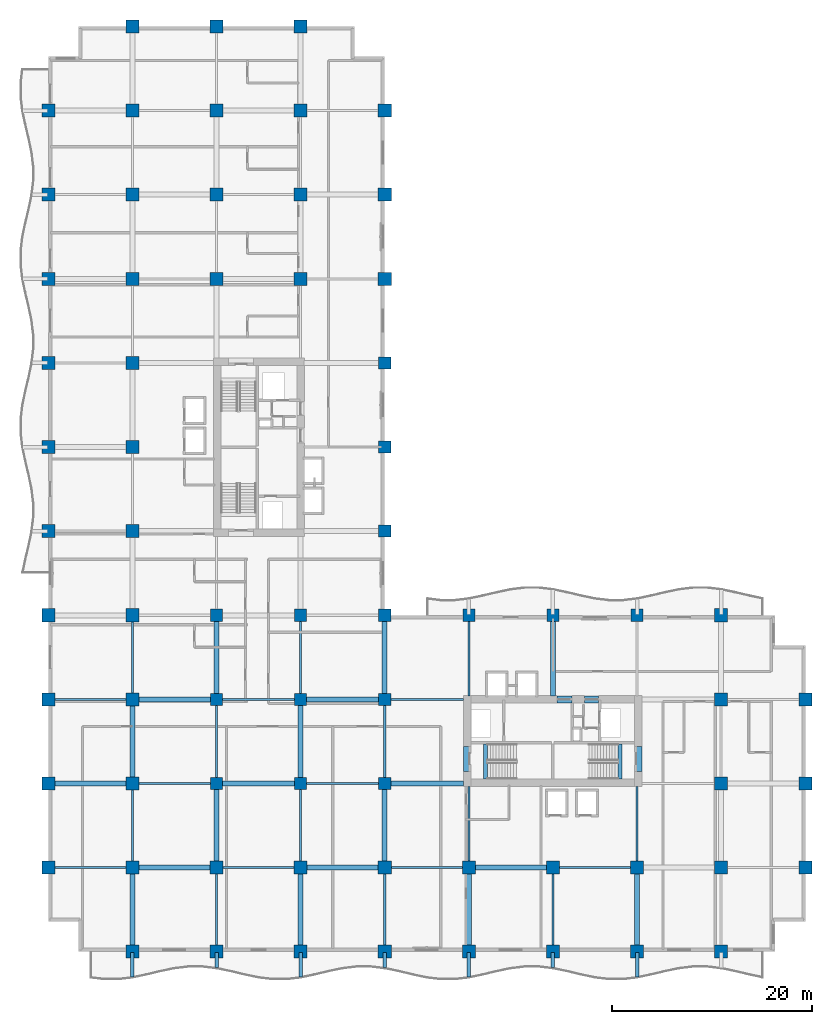
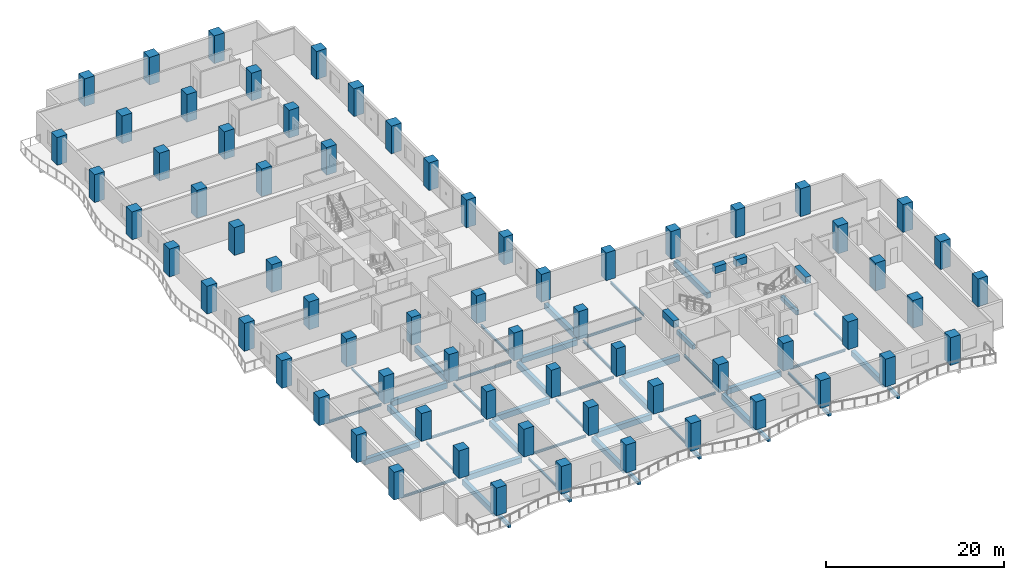
# One storey, part 1 of 18: 68 columns, 53 beams.
"""IFC4 building model written with IfcOpenShell, lengths in metres."""

from ifc_helpers import new_model, si_unit, direction, frame, origin, origin_2d, place, context, subcontext, project, spatial, rectangle, i_section, extrude, material, material_profile, profile_set, type_object, element, save


model = new_model("IFC4")

# Units and contexts
model_context = context("Model", 3, precision=1e-05, world=origin(), true_north=direction((0.0, 1.0)))
body_context = subcontext(model_context, "Body", "Model", "MODEL_VIEW")
ifc_project = project(units=[si_unit("LENGTHUNIT", "METRE"), si_unit("AREAUNIT", "SQUARE_METRE"), si_unit("VOLUMEUNIT", "CUBIC_METRE"), si_unit("PLANEANGLEUNIT", "RADIAN"), si_unit("MASSUNIT", "GRAM", prefix="KILO")], contexts=[model_context])

# Site, building, storey
site_placement = place(None, origin())
site = spatial("IfcSite", under=ifc_project, at=site_placement, CompositionType="ELEMENT")
building_placement = place(site_placement, origin())
building = spatial("IfcBuilding", under=site, at=building_placement, Name="Koriwani Terraces Tower", CompositionType="ELEMENT")
storey_placement = place(building_placement, frame((0.0, 0.0, 145.60009765625)))
storey = spatial("IfcBuildingStorey", under=building, at=storey_placement, Name="L35", CompositionType="ELEMENT", Elevation=145.60009765625)

# Columns
ifc_material_1 = material(Name="Concrete C60/75", Category="concrete")
ifc_material_profile_1 = material_profile(ifc_material_1, rectangle(XDim=1.199951171875, YDim=1.199951171875, at=origin_2d()), Name="Concrete C60/75", Category="LoadBearing")
ifc_profile_set_1 = profile_set([ifc_material_profile_1], Name="Concrete C60/75")
column_type_1 = type_object("IfcColumnType", Name="COL_RC_1200X1200", PredefinedType="COLUMN", material=ifc_profile_set_1)
for number, where, z_axis, x_axis, name in (
    (1, (16.800048828125, 16.800048828125, 0.0), (0.0, 0.0, 1.0), (1.0, 0.0, 0.0), "L35 Column 3/C"),
    (2, (16.800048828125, 25.199951171875, 0.0), (0.0, 0.0, 1.0), (1.0, 0.0, 0.0), "L35 Column 3/D"),
    (3, (16.800048828125, 33.60009765625, 0.0), (0.0, 0.0, 1.0), (1.0, 0.0, 0.0), "L35 Column 3/E"),
    (4, (25.199951171875, 16.800048828125, 0.0), (0.0, 0.0, 1.0), (1.0, 0.0, 0.0), "L35 Column 4/C"),
    (5, (25.199951171875, 25.199951171875, 0.0), (0.0, 0.0, 1.0), (1.0, 0.0, 0.0), "L35 Column 4/D"),
    (6, (25.199951171875, 33.60009765625, 0.0), (0.0, 0.0, 1.0), (1.0, 0.0, 0.0), "L35 Column 4/E"),
    (7, (33.60009765625, 16.800048828125, 0.0), (0.0, 0.0, 1.0), (1.0, 0.0, 0.0), "L35 Column 5/C"),
    (8, (33.60009765625, 25.199951171875, 0.0), (0.0, 0.0, 1.0), (1.0, 0.0, 0.0), "L35 Column 5/D"),
    (9, (33.60009765625, 33.60009765625, 0.0), (0.0, 0.0, 1.0), (1.0, 0.0, 0.0), "L35 Column 5/E"),
    (10, (33.60009765625, 42.0, 0.0), (0.0, 0.0, 1.0), (1.0, 0.0, 0.0), "L35 Column 5/F"),
    (11, (33.60009765625, 50.39990234375, 0.0), (0.0, 0.0, 1.0), (1.0, 0.0, 0.0), "L35 Column 5/G"),
    (12, (33.60009765625, 58.800048828125, 0.0), (0.0, 0.0, 1.0), (1.0, 0.0, 0.0), "L35 Column 5/H"),
    (13, (42.0, 33.60009765625, 0.0), (0.0, 0.0, 1.0), (1.0, 0.0, 0.0), "L35 Column 6/E"),
    (14, (50.39990234375, 33.60009765625, 0.0), (0.0, 0.0, 1.0), (1.0, 0.0, 0.0), "L35 Column 7/E"),
    (15, (58.800048828125, 33.60009765625, 0.0), (0.0, 0.0, 1.0), (1.0, 0.0, 0.0), "L35 Column 8/E"),
):
    element("IfcColumn", number, at=place(storey_placement, frame(where, z_axis=z_axis, x_axis=x_axis)), inside=storey, type_object=column_type_1, Name=name, PredefinedType="COLUMN", context=body_context, shape_type="SweptSolid", body=[
        extrude(rectangle(XDim=1.199951171875, YDim=1.199951171875, at=origin_2d()), origin(), (0.0, 0.0, 1.0), 3.7998046875),
    ])
ifc_material_profile_2 = material_profile(ifc_material_1, rectangle(XDim=1.300048828125, YDim=1.300048828125, at=origin_2d()), Name="Concrete C60/75", Category="LoadBearing")
ifc_profile_set_2 = profile_set([ifc_material_profile_2], Name="Concrete C60/75")
column_type_2 = type_object("IfcColumnType", Name="COL_RC_1300X1300", PredefinedType="COLUMN", material=ifc_profile_set_2)
for number, where, z_axis, x_axis, name in (
    (16, (0.0, 8.39990234375, 0.0), (0.0, 0.0, 1.0), (1.0, 0.0, 0.0), "L35 Column 1/B"),
    (17, (0.0, 16.800048828125, 0.0), (0.0, 0.0, 1.0), (1.0, 0.0, 0.0), "L35 Column 1/C"),
    (18, (0.0, 25.199951171875, 0.0), (0.0, 0.0, 1.0), (1.0, 0.0, 0.0), "L35 Column 1/D"),
    (19, (0.0, 33.60009765625, 0.0), (0.0, 0.0, 1.0), (1.0, 0.0, 0.0), "L35 Column 1/E"),
    (20, (0.0, 42.0, 0.0), (0.0, 0.0, 1.0), (1.0, 0.0, 0.0), "L35 Column 1/F"),
    (21, (0.0, 50.39990234375, 0.0), (0.0, 0.0, 1.0), (1.0, 0.0, 0.0), "L35 Column 1/G"),
    (22, (0.0, 58.800048828125, 0.0), (0.0, 0.0, 1.0), (1.0, 0.0, 0.0), "L35 Column 1/H"),
    (23, (0.0, 67.199951171875, 0.0), (0.0, 0.0, 1.0), (1.0, 0.0, 0.0), "L35 Column 1/I"),
    (24, (0.0, 75.60009765625, 0.0), (0.0, 0.0, 1.0), (1.0, 0.0, 0.0), "L35 Column 1/J"),
    (25, (0.0, 84.0, 0.0), (0.0, 0.0, 1.0), (1.0, 0.0, 0.0), "L35 Column 1/K"),
    (26, (8.39990234375, 0.0, 0.0), (0.0, 0.0, 1.0), (1.0, 0.0, 0.0), "L35 Column 2/A"),
    (27, (8.39990234375, 8.39990234375, 0.0), (0.0, 0.0, 1.0), (1.0, 0.0, 0.0), "L35 Column 2/B"),
    (28, (8.39990234375, 16.800048828125, 0.0), (0.0, 0.0, 1.0), (1.0, 0.0, 0.0), "L35 Column 2/C"),
    (29, (8.39990234375, 25.199951171875, 0.0), (0.0, 0.0, 1.0), (1.0, 0.0, 0.0), "L35 Column 2/D"),
    (30, (8.39990234375, 33.60009765625, 0.0), (0.0, 0.0, 1.0), (1.0, 0.0, 0.0), "L35 Column 2/E"),
    (31, (8.39990234375, 42.0, 0.0), (0.0, 0.0, 1.0), (1.0, 0.0, 0.0), "L35 Column 2/F"),
    (32, (8.39990234375, 50.39990234375, 0.0), (0.0, 0.0, 1.0), (1.0, 0.0, 0.0), "L35 Column 2/G"),
    (33, (8.39990234375, 58.800048828125, 0.0), (0.0, 0.0, 1.0), (1.0, 0.0, 0.0), "L35 Column 2/H"),
    (34, (8.39990234375, 67.199951171875, 0.0), (0.0, 0.0, 1.0), (1.0, 0.0, 0.0), "L35 Column 2/I"),
    (35, (8.39990234375, 75.60009765625, 0.0), (0.0, 0.0, 1.0), (1.0, 0.0, 0.0), "L35 Column 2/J"),
    (36, (8.39990234375, 84.0, 0.0), (0.0, 0.0, 1.0), (1.0, 0.0, 0.0), "L35 Column 2/K"),
    (37, (8.39990234375, 92.39990234375, 0.0), (0.0, 0.0, 1.0), (1.0, 0.0, 0.0), "L35 Column 2/L"),
    (38, (16.800048828125, 0.0, 0.0), (0.0, 0.0, 1.0), (1.0, 0.0, 0.0), "L35 Column 3/A"),
    (39, (16.800048828125, 8.39990234375, 0.0), (0.0, 0.0, 1.0), (1.0, 0.0, 0.0), "L35 Column 3/B"),
    (40, (16.800048828125, 67.199951171875, 0.0), (0.0, 0.0, 1.0), (1.0, 0.0, 0.0), "L35 Column 3/I"),
    (41, (16.800048828125, 75.60009765625, 0.0), (0.0, 0.0, 1.0), (1.0, 0.0, 0.0), "L35 Column 3/J"),
    (42, (16.800048828125, 84.0, 0.0), (0.0, 0.0, 1.0), (1.0, 0.0, 0.0), "L35 Column 3/K"),
    (43, (16.800048828125, 92.39990234375, 0.0), (0.0, 0.0, 1.0), (1.0, 0.0, 0.0), "L35 Column 3/L"),
    (44, (25.199951171875, 0.0, 0.0), (0.0, 0.0, 1.0), (1.0, 0.0, 0.0), "L35 Column 4/A"),
    (45, (25.199951171875, 8.39990234375, 0.0), (0.0, 0.0, 1.0), (1.0, 0.0, 0.0), "L35 Column 4/B"),
    (46, (25.199951171875, 67.199951171875, 0.0), (0.0, 0.0, 1.0), (1.0, 0.0, 0.0), "L35 Column 4/I"),
    (47, (25.199951171875, 75.60009765625, 0.0), (0.0, 0.0, 1.0), (1.0, 0.0, 0.0), "L35 Column 4/J"),
    (48, (25.199951171875, 84.0, 0.0), (0.0, 0.0, 1.0), (1.0, 0.0, 0.0), "L35 Column 4/K"),
    (49, (25.199951171875, 92.39990234375, 0.0), (0.0, 0.0, 1.0), (1.0, 0.0, 0.0), "L35 Column 4/L"),
    (50, (33.60009765625, 0.0, 0.0), (0.0, 0.0, 1.0), (1.0, 0.0, 0.0), "L35 Column 5/A"),
    (51, (33.60009765625, 8.39990234375, 0.0), (0.0, 0.0, 1.0), (1.0, 0.0, 0.0), "L35 Column 5/B"),
    (52, (33.60009765625, 67.199951171875, 0.0), (0.0, 0.0, 1.0), (1.0, 0.0, 0.0), "L35 Column 5/I"),
    (53, (33.60009765625, 75.60009765625, 0.0), (0.0, 0.0, 1.0), (1.0, 0.0, 0.0), "L35 Column 5/J"),
    (54, (33.60009765625, 84.0, 0.0), (0.0, 0.0, 1.0), (1.0, 0.0, 0.0), "L35 Column 5/K"),
    (55, (42.0, 0.0, 0.0), (0.0, 0.0, 1.0), (1.0, 0.0, 0.0), "L35 Column 6/A"),
    (56, (42.0, 8.39990234375, 0.0), (0.0, 0.0, 1.0), (1.0, 0.0, 0.0), "L35 Column 6/B"),
    (57, (50.39990234375, 0.0, 0.0), (0.0, 0.0, 1.0), (1.0, 0.0, 0.0), "L35 Column 7/A"),
    (58, (50.39990234375, 8.39990234375, 0.0), (0.0, 0.0, 1.0), (1.0, 0.0, 0.0), "L35 Column 7/B"),
    (59, (58.800048828125, 0.0, 0.0), (0.0, 0.0, 1.0), (1.0, 0.0, 0.0), "L35 Column 8/A"),
    (60, (58.800048828125, 8.39990234375, 0.0), (0.0, 0.0, 1.0), (1.0, 0.0, 0.0), "L35 Column 8/B"),
    (61, (67.199951171875, 0.0, 0.0), (0.0, 0.0, 1.0), (1.0, 0.0, 0.0), "L35 Column 9/A"),
    (62, (67.199951171875, 8.39990234375, 0.0), (0.0, 0.0, 1.0), (1.0, 0.0, 0.0), "L35 Column 9/B"),
    (63, (67.199951171875, 16.800048828125, 0.0), (0.0, 0.0, 1.0), (1.0, 0.0, 0.0), "L35 Column 9/C"),
    (64, (67.199951171875, 25.199951171875, 0.0), (0.0, 0.0, 1.0), (1.0, 0.0, 0.0), "L35 Column 9/D"),
    (65, (67.199951171875, 33.60009765625, 0.0), (0.0, 0.0, 1.0), (1.0, 0.0, 0.0), "L35 Column 9/E"),
    (66, (75.60009765625, 8.39990234375, 0.0), (0.0, 0.0, 1.0), (1.0, 0.0, 0.0), "L35 Column 10/B"),
    (67, (75.60009765625, 16.800048828125, 0.0), (0.0, 0.0, 1.0), (1.0, 0.0, 0.0), "L35 Column 10/C"),
    (68, (75.60009765625, 25.199951171875, 0.0), (0.0, 0.0, 1.0), (1.0, 0.0, 0.0), "L35 Column 10/D"),
):
    element("IfcColumn", number, at=place(storey_placement, frame(where, z_axis=z_axis, x_axis=x_axis)), inside=storey, type_object=column_type_2, Name=name, PredefinedType="COLUMN", context=body_context, shape_type="SweptSolid", body=[
        extrude(rectangle(XDim=1.300048828125, YDim=1.300048828125, at=origin_2d()), origin(), (0.0, 0.0, 1.0), 3.7998046875),
    ])

# Beams
ifc_material_2 = material(Name="Concrete C40/50", Category="concrete")
ifc_material_profile_3 = material_profile(ifc_material_2, rectangle(XDim=0.35009765625, YDim=0.449951171875, at=origin_2d()), Name="Concrete C40/50", Category="LoadBearing")
ifc_profile_set_3 = profile_set([ifc_material_profile_3], Name="Concrete C40/50")
beam_type_1 = type_object("IfcBeamType", Name="BEAM_RC_BALCONY_RIB_350X450", PredefinedType="JOIST", material=ifc_profile_set_3)
beam_1_placement = place(storey_placement, frame((8.39990234375, -2.509521484375, -0.47509765625), z_axis=(0.0, 1.0, 0.0), x_axis=(-1.0, 0.0, 0.0)))
element("IfcBeam", 69, at=beam_1_placement, inside=storey, type_object=beam_type_1, Name="L35 Balcony Bracket Rib S-1", PredefinedType="JOIST", context=body_context, shape_type="SweptSolid", body=[
    extrude(rectangle(XDim=0.35009765625, YDim=0.449951171875, at=origin_2d()), origin(), (0.0, 0.0, 1.0), 2.409423828125),
])
beam_2_placement = place(storey_placement, frame((16.800048828125, -1.59033203125, -0.47509765625), z_axis=(0.0, 1.0, 0.0), x_axis=(-1.0, 0.0, 0.0)))
element("IfcBeam", 70, at=beam_2_placement, inside=storey, type_object=beam_type_1, Name="L35 Balcony Bracket Rib S-2", PredefinedType="JOIST", context=body_context, shape_type="SweptSolid", body=[
    extrude(rectangle(XDim=0.35009765625, YDim=0.449951171875, at=origin_2d()), origin(), (0.0, 0.0, 1.0), 1.490234375),
])
beam_3_placement = place(storey_placement, frame((25.199951171875, -2.509521484375, -0.47509765625), z_axis=(0.0, 1.0, 0.0), x_axis=(-1.0, 0.0, 0.0)))
element("IfcBeam", 71, at=beam_3_placement, inside=storey, type_object=beam_type_1, Name="L35 Balcony Bracket Rib S-3", PredefinedType="JOIST", context=body_context, shape_type="SweptSolid", body=[
    extrude(rectangle(XDim=0.35009765625, YDim=0.449951171875, at=origin_2d()), origin(), (0.0, 0.0, 1.0), 2.409423828125),
])
beam_4_placement = place(storey_placement, frame((33.60009765625, -1.59033203125, -0.47509765625), z_axis=(0.0, 1.0, 0.0), x_axis=(-1.0, 0.0, 0.0)))
element("IfcBeam", 72, at=beam_4_placement, inside=storey, type_object=beam_type_1, Name="L35 Balcony Bracket Rib S-4", PredefinedType="JOIST", context=body_context, shape_type="SweptSolid", body=[
    extrude(rectangle(XDim=0.35009765625, YDim=0.449951171875, at=origin_2d()), origin(), (0.0, 0.0, 1.0), 1.490234375),
])
beam_5_placement = place(storey_placement, frame((42.0, -2.509521484375, -0.47509765625), z_axis=(0.0, 1.0, 0.0), x_axis=(-1.0, 0.0, 0.0)))
element("IfcBeam", 73, at=beam_5_placement, inside=storey, type_object=beam_type_1, Name="L35 Balcony Bracket Rib S-5", PredefinedType="JOIST", context=body_context, shape_type="SweptSolid", body=[
    extrude(rectangle(XDim=0.35009765625, YDim=0.449951171875, at=origin_2d()), origin(), (0.0, 0.0, 1.0), 2.409423828125),
])
beam_6_placement = place(storey_placement, frame((50.39990234375, -1.59033203125, -0.47509765625), z_axis=(0.0, 1.0, 0.0), x_axis=(-1.0, 0.0, 0.0)))
element("IfcBeam", 74, at=beam_6_placement, inside=storey, type_object=beam_type_1, Name="L35 Balcony Bracket Rib S-6", PredefinedType="JOIST", context=body_context, shape_type="SweptSolid", body=[
    extrude(rectangle(XDim=0.35009765625, YDim=0.449951171875, at=origin_2d()), origin(), (0.0, 0.0, 1.0), 1.490234375),
])
beam_7_placement = place(storey_placement, frame((58.800048828125, -2.509521484375, -0.47509765625), z_axis=(0.0, 1.0, 0.0), x_axis=(-1.0, 0.0, 0.0)))
element("IfcBeam", 75, at=beam_7_placement, inside=storey, type_object=beam_type_1, Name="L35 Balcony Bracket Rib S-7", PredefinedType="JOIST", context=body_context, shape_type="SweptSolid", body=[
    extrude(rectangle(XDim=0.35009765625, YDim=0.449951171875, at=origin_2d()), origin(), (0.0, 0.0, 1.0), 2.409423828125),
])
ifc_material_profile_4 = material_profile(ifc_material_1, rectangle(XDim=0.699951171875, YDim=0.949951171875, at=origin_2d()), Name="Concrete C60/75", Category="LoadBearing")
ifc_profile_set_4 = profile_set([ifc_material_profile_4], Name="Concrete C60/75")
beam_type_2 = type_object("IfcBeamType", Name="BEAM_RC_COUPLING_700X950", PredefinedType="LINTEL", material=ifc_profile_set_4)
beam_8_placement = place(storey_placement, frame((50.800048828125, 25.199951171875, 3.074951171875), z_axis=(1.0, 0.0, 0.0), x_axis=(0.0, 1.0, 0.0)))
element("IfcBeam", 76, at=beam_8_placement, inside=storey, type_object=beam_type_2, Name="L35 Core Coupling Lintel Beam EN1", PredefinedType="LINTEL", context=body_context, shape_type="SweptSolid", body=[
    extrude(rectangle(XDim=0.699951171875, YDim=0.949951171875, at=origin_2d()), origin(), (0.0, 0.0, 1.0), 1.47998046875),
])
beam_9_placement = place(storey_placement, frame((53.550048828125, 25.199951171875, 3.074951171875), z_axis=(1.0, 0.0, 0.0), x_axis=(0.0, 1.0, 0.0)))
element("IfcBeam", 77, at=beam_9_placement, inside=storey, type_object=beam_type_2, Name="L35 Core Coupling Lintel Beam EN2", PredefinedType="LINTEL", context=body_context, shape_type="SweptSolid", body=[
    extrude(rectangle(XDim=0.699951171875, YDim=0.949951171875, at=origin_2d()), origin(), (0.0, 0.0, 1.0), 1.39990234375),
])
for number, where, z_axis, x_axis, name in (
    (78, (41.824951171875, 18.0, 3.074951171875), (0.0, 1.0, 0.0), (-1.0, 0.0, 0.0), "L35 Core Coupling Lintel Beam EW"),
    (79, (58.925048828125, 18.0, 3.074951171875), (0.0, 1.0, 0.0), (-1.0, 0.0, 0.0), "L35 Core Coupling Lintel Beam EE"),
):
    element("IfcBeam", number, at=place(storey_placement, frame(where, z_axis=z_axis, x_axis=x_axis)), inside=storey, type_object=beam_type_2, Name=name, PredefinedType="LINTEL", context=body_context, shape_type="SweptSolid", body=[
        extrude(rectangle(XDim=0.699951171875, YDim=0.949951171875, at=origin_2d()), origin(), (0.0, 0.0, 1.0), 2.5),
    ])
ifc_material_profile_5 = material_profile(ifc_material_2, rectangle(XDim=0.39990234375, YDim=0.60009765625, at=origin_2d()), Name="Concrete C40/50", Category="LoadBearing")
ifc_profile_set_5 = profile_set([ifc_material_profile_5], Name="Concrete C40/50")
beam_type_3 = type_object("IfcBeamType", Name="BEAM_RC_GRID_400X600", PredefinedType="BEAM", material=ifc_profile_set_5)
for number, where, z_axis, x_axis, name in (
    (80, (43.655029296875, 17.25, -0.300048828125), (0.0, 1.0, 0.0), (-1.0, 0.0, 0.0), "L35 Stairwell Header Trimmer Beam ST-E1"),
    (81, (57.094970703125, 17.25, -0.300048828125), (0.0, 1.0, 0.0), (-1.0, 0.0, 0.0), "L35 Stairwell Header Trimmer Beam ST-E2"),
):
    element("IfcBeam", number, at=place(storey_placement, frame(where, z_axis=z_axis, x_axis=x_axis)), inside=storey, type_object=beam_type_3, Name=name, PredefinedType="BEAM", context=body_context, shape_type="SweptSolid", body=[
        extrude(rectangle(XDim=0.39990234375, YDim=0.60009765625, at=origin_2d()), origin(), (0.0, 0.0, 1.0), 3.5),
    ])
ifc_material_3 = material(Name="Concrete C50/60", Category="concrete")
ifc_material_profile_6 = material_profile(ifc_material_3, rectangle(XDim=0.5, YDim=0.75, at=origin_2d()), Name="Concrete C50/60", Category="LoadBearing")
ifc_profile_set_6 = profile_set([ifc_material_profile_6], Name="Concrete C50/60")
beam_type_4 = type_object("IfcBeamType", Name="BEAM_RC_GRID_500X750", PredefinedType="BEAM", material=ifc_profile_set_6)
for number, where, z_axis, x_axis, name in (
    (82, (9.030029296875, 8.39990234375, -0.625), (1.0, 0.0, 0.0), (0.0, 1.0, 0.0), "L35 Grid Beam B (8.4-16.8m)"),
    (83, (25.830078125, 8.39990234375, -0.625), (1.0, 0.0, 0.0), (0.0, 1.0, 0.0), "L35 Grid Beam B (25.2-33.6m)"),
):
    element("IfcBeam", number, at=place(storey_placement, frame(where, z_axis=z_axis, x_axis=x_axis)), inside=storey, type_object=beam_type_4, Name=name, PredefinedType="BEAM", context=body_context, shape_type="SweptSolid", body=[
        extrude(rectangle(XDim=0.5, YDim=0.75, at=origin_2d()), origin(), (0.0, 0.0, 1.0), 7.139892578125),
    ])
for number, where, z_axis, x_axis, name in (
    (84, (42.6298828125, 8.39990234375, -0.625), (1.0, 0.0, 0.0), (0.0, 1.0, 0.0), "L35 Grid Beam B (42.0-50.4m)"),
    (85, (0.6298828125, 16.800048828125, -0.625), (1.0, 0.0, 0.0), (0.0, 1.0, 0.0), "L35 Grid Beam C (0.0-8.4m)"),
):
    element("IfcBeam", number, at=place(storey_placement, frame(where, z_axis=z_axis, x_axis=x_axis)), inside=storey, type_object=beam_type_4, Name=name, PredefinedType="BEAM", context=body_context, shape_type="SweptSolid", body=[
        extrude(rectangle(XDim=0.5, YDim=0.75, at=origin_2d()), origin(), (0.0, 0.0, 1.0), 7.14013671875),
    ])
beam_10_placement = place(storey_placement, frame((17.3798828125, 16.800048828125, -0.625), z_axis=(1.0, 0.0, 0.0), x_axis=(0.0, 1.0, 0.0)))
element("IfcBeam", 86, at=beam_10_placement, inside=storey, type_object=beam_type_4, Name="L35 Grid Beam C (16.8-25.2m)", PredefinedType="BEAM", context=body_context, shape_type="SweptSolid", body=[
    extrude(rectangle(XDim=0.5, YDim=0.75, at=origin_2d()), origin(), (0.0, 0.0, 1.0), 7.240234375),
])
beam_11_placement = place(storey_placement, frame((34.179931640625, 16.800048828125, -0.625), z_axis=(1.0, 0.0, 0.0), x_axis=(0.0, 1.0, 0.0)))
element("IfcBeam", 87, at=beam_11_placement, inside=storey, type_object=beam_type_4, Name="L35 Grid Beam C (33.6-42.0m)", PredefinedType="BEAM", context=body_context, shape_type="SweptSolid", body=[
    extrude(rectangle(XDim=0.5, YDim=0.75, at=origin_2d()), origin(), (0.0, 0.0, 1.0), 7.2900390625),
])
beam_12_placement = place(storey_placement, frame((9.030029296875, 25.199951171875, -0.625), z_axis=(1.0, 0.0, 0.0), x_axis=(0.0, 1.0, 0.0)))
element("IfcBeam", 88, at=beam_12_placement, inside=storey, type_object=beam_type_4, Name="L35 Grid Beam D (8.4-16.8m)", PredefinedType="BEAM", context=body_context, shape_type="SweptSolid", body=[
    extrude(rectangle(XDim=0.5, YDim=0.75, at=origin_2d()), origin(), (0.0, 0.0, 1.0), 7.18994140625),
])
beam_13_placement = place(storey_placement, frame((25.780029296875, 25.199951171875, -0.625), z_axis=(1.0, 0.0, 0.0), x_axis=(0.0, 1.0, 0.0)))
element("IfcBeam", 89, at=beam_13_placement, inside=storey, type_object=beam_type_4, Name="L35 Grid Beam D (25.2-33.6m)", PredefinedType="BEAM", context=body_context, shape_type="SweptSolid", body=[
    extrude(rectangle(XDim=0.5, YDim=0.75, at=origin_2d()), origin(), (0.0, 0.0, 1.0), 7.239990234375),
])
for number, where, z_axis, x_axis, name in (
    (90, (8.39990234375, 0.6298828125, -0.625), (0.0, 1.0, 0.0), (-1.0, 0.0, 0.0), "L35 Grid Beam 2 (0.0-8.4m)"),
    (91, (8.39990234375, 17.429931640625, -0.625), (0.0, 1.0, 0.0), (-1.0, 0.0, 0.0), "L35 Grid Beam 2 (16.8-25.2m)"),
):
    element("IfcBeam", number, at=place(storey_placement, frame(where, z_axis=z_axis, x_axis=x_axis)), inside=storey, type_object=beam_type_4, Name=name, PredefinedType="BEAM", context=body_context, shape_type="SweptSolid", body=[
        extrude(rectangle(XDim=0.5, YDim=0.75, at=origin_2d()), origin(), (0.0, 0.0, 1.0), 7.14013671875),
    ])
beam_14_placement = place(storey_placement, frame((16.800048828125, 9.030029296875, -0.625), z_axis=(0.0, 1.0, 0.0), x_axis=(-1.0, 0.0, 0.0)))
element("IfcBeam", 92, at=beam_14_placement, inside=storey, type_object=beam_type_4, Name="L35 Grid Beam 3 (8.4-16.8m)", PredefinedType="BEAM", context=body_context, shape_type="SweptSolid", body=[
    extrude(rectangle(XDim=0.5, YDim=0.75, at=origin_2d()), origin(), (0.0, 0.0, 1.0), 7.18994140625),
])
beam_15_placement = place(storey_placement, frame((16.800048828125, 25.780029296875, -0.625), z_axis=(0.0, 1.0, 0.0), x_axis=(-1.0, 0.0, 0.0)))
element("IfcBeam", 93, at=beam_15_placement, inside=storey, type_object=beam_type_4, Name="L35 Grid Beam 3 (25.2-33.6m)", PredefinedType="BEAM", context=body_context, shape_type="SweptSolid", body=[
    extrude(rectangle(XDim=0.5, YDim=0.75, at=origin_2d()), origin(), (0.0, 0.0, 1.0), 7.239990234375),
])
beam_16_placement = place(storey_placement, frame((25.199951171875, 0.6298828125, -0.625), z_axis=(0.0, 1.0, 0.0), x_axis=(-1.0, 0.0, 0.0)))
element("IfcBeam", 94, at=beam_16_placement, inside=storey, type_object=beam_type_4, Name="L35 Grid Beam 4 (0.0-8.4m)", PredefinedType="BEAM", context=body_context, shape_type="SweptSolid", body=[
    extrude(rectangle(XDim=0.5, YDim=0.75, at=origin_2d()), origin(), (0.0, 0.0, 1.0), 7.14013671875),
])
beam_17_placement = place(storey_placement, frame((25.199951171875, 17.3798828125, -0.625), z_axis=(0.0, 1.0, 0.0), x_axis=(-1.0, 0.0, 0.0)))
element("IfcBeam", 95, at=beam_17_placement, inside=storey, type_object=beam_type_4, Name="L35 Grid Beam 4 (16.8-25.2m)", PredefinedType="BEAM", context=body_context, shape_type="SweptSolid", body=[
    extrude(rectangle(XDim=0.5, YDim=0.75, at=origin_2d()), origin(), (0.0, 0.0, 1.0), 7.240234375),
])
beam_18_placement = place(storey_placement, frame((33.60009765625, 9.030029296875, -0.625), z_axis=(0.0, 1.0, 0.0), x_axis=(-1.0, 0.0, 0.0)))
element("IfcBeam", 96, at=beam_18_placement, inside=storey, type_object=beam_type_4, Name="L35 Grid Beam 5 (8.4-16.8m)", PredefinedType="BEAM", context=body_context, shape_type="SweptSolid", body=[
    extrude(rectangle(XDim=0.5, YDim=0.75, at=origin_2d()), origin(), (0.0, 0.0, 1.0), 7.18994140625),
])
beam_19_placement = place(storey_placement, frame((33.60009765625, 25.780029296875, -0.625), z_axis=(0.0, 1.0, 0.0), x_axis=(-1.0, 0.0, 0.0)))
element("IfcBeam", 97, at=beam_19_placement, inside=storey, type_object=beam_type_4, Name="L35 Grid Beam 5 (25.2-33.6m)", PredefinedType="BEAM", context=body_context, shape_type="SweptSolid", body=[
    extrude(rectangle(XDim=0.5, YDim=0.75, at=origin_2d()), origin(), (0.0, 0.0, 1.0), 7.239990234375),
])
beam_20_placement = place(storey_placement, frame((42.0, 0.6298828125, -0.625), z_axis=(0.0, 1.0, 0.0), x_axis=(-1.0, 0.0, 0.0)))
element("IfcBeam", 98, at=beam_20_placement, inside=storey, type_object=beam_type_4, Name="L35 Grid Beam 6 (0.0-8.4m)", PredefinedType="BEAM", context=body_context, shape_type="SweptSolid", body=[
    extrude(rectangle(XDim=0.5, YDim=0.75, at=origin_2d()), origin(), (0.0, 0.0, 1.0), 7.14013671875),
])
beam_21_placement = place(storey_placement, frame((50.39990234375, 25.554931640625, -0.625), z_axis=(0.0, 1.0, 0.0), x_axis=(-1.0, 0.0, 0.0)))
element("IfcBeam", 99, at=beam_21_placement, inside=storey, type_object=beam_type_4, Name="L35 Grid Beam 7 (25.2-33.6m)", PredefinedType="BEAM", context=body_context, shape_type="SweptSolid", body=[
    extrude(rectangle(XDim=0.5, YDim=0.75, at=origin_2d()), origin(), (0.0, 0.0, 1.0), 7.465087890625),
])
beam_22_placement = place(storey_placement, frame((58.800048828125, 0.6298828125, -0.625), z_axis=(0.0, 1.0, 0.0), x_axis=(-1.0, 0.0, 0.0)))
element("IfcBeam", 100, at=beam_22_placement, inside=storey, type_object=beam_type_4, Name="L35 Grid Beam 8 (0.0-8.4m)", PredefinedType="BEAM", context=body_context, shape_type="SweptSolid", body=[
    extrude(rectangle(XDim=0.5, YDim=0.75, at=origin_2d()), origin(), (0.0, 0.0, 1.0), 7.14013671875),
])
ifc_material_4 = material(Name="Steel ASTM A572 Grade 50", Category="steel")
ifc_material_profile_7 = material_profile(ifc_material_4, i_section(OverallWidth=0.205078125, OverallDepth=0.31005859375, WebThickness=0.009521484375, FlangeThickness=0.016357421875, at=origin_2d()), Name="Steel ASTM A572 Grade 50", Category="LoadBearing")
ifc_profile_set_7 = profile_set([ifc_material_profile_7], Name="Steel ASTM A572 Grade 50")
beam_type_5 = type_object("IfcBeamType", Name="STEEL_BEAM_W310X74", PredefinedType="JOIST", material=ifc_profile_set_7)
for number, where, z_axis, x_axis, name in (
    (101, (0.6298828125, 8.39990234375, -0.405029296875), (1.0, 0.0, 0.0), (0.0, 1.0, 0.0), "L35 Grid Beam B (0.0-8.4m)"),
    (102, (17.429931640625, 8.39990234375, -0.405029296875), (1.0, 0.0, 0.0), (0.0, 1.0, 0.0), "L35 Grid Beam B (16.8-25.2m)"),
    (103, (34.22998046875, 8.39990234375, -0.405029296875), (1.0, 0.0, 0.0), (0.0, 1.0, 0.0), "L35 Grid Beam B (33.6-42.0m)"),
):
    element("IfcBeam", number, at=place(storey_placement, frame(where, z_axis=z_axis, x_axis=x_axis)), inside=storey, type_object=beam_type_5, Name=name, PredefinedType="JOIST", context=body_context, shape_type="SweptSolid", body=[
        extrude(i_section(OverallWidth=0.205078125, OverallDepth=0.31005859375, WebThickness=0.009521484375, FlangeThickness=0.016357421875, at=origin_2d()), origin(), (0.0, 0.0, 1.0), 7.14013671875),
    ])
beam_23_placement = place(storey_placement, frame((51.030029296875, 8.39990234375, -0.405029296875), z_axis=(1.0, 0.0, 0.0), x_axis=(0.0, 1.0, 0.0)))
element("IfcBeam", 104, at=beam_23_placement, inside=storey, type_object=beam_type_5, Name="L35 Grid Beam B (50.4-58.8m)", PredefinedType="JOIST", context=body_context, shape_type="SweptSolid", body=[
    extrude(i_section(OverallWidth=0.205078125, OverallDepth=0.31005859375, WebThickness=0.009521484375, FlangeThickness=0.016357421875, at=origin_2d()), origin(), (0.0, 0.0, 1.0), 7.139892578125),
])
beam_24_placement = place(storey_placement, frame((9.030029296875, 16.800048828125, -0.405029296875), z_axis=(1.0, 0.0, 0.0), x_axis=(0.0, 1.0, 0.0)))
element("IfcBeam", 105, at=beam_24_placement, inside=storey, type_object=beam_type_5, Name="L35 Grid Beam C (8.4-16.8m)", PredefinedType="JOIST", context=body_context, shape_type="SweptSolid", body=[
    extrude(i_section(OverallWidth=0.205078125, OverallDepth=0.31005859375, WebThickness=0.009521484375, FlangeThickness=0.016357421875, at=origin_2d()), origin(), (0.0, 0.0, 1.0), 7.18994140625),
])
beam_25_placement = place(storey_placement, frame((25.780029296875, 16.800048828125, -0.405029296875), z_axis=(1.0, 0.0, 0.0), x_axis=(0.0, 1.0, 0.0)))
element("IfcBeam", 106, at=beam_25_placement, inside=storey, type_object=beam_type_5, Name="L35 Grid Beam C (25.2-33.6m)", PredefinedType="JOIST", context=body_context, shape_type="SweptSolid", body=[
    extrude(i_section(OverallWidth=0.205078125, OverallDepth=0.31005859375, WebThickness=0.009521484375, FlangeThickness=0.016357421875, at=origin_2d()), origin(), (0.0, 0.0, 1.0), 7.239990234375),
])
beam_26_placement = place(storey_placement, frame((0.6298828125, 25.199951171875, -0.405029296875), z_axis=(1.0, 0.0, 0.0), x_axis=(0.0, 1.0, 0.0)))
element("IfcBeam", 107, at=beam_26_placement, inside=storey, type_object=beam_type_5, Name="L35 Grid Beam D (0.0-8.4m)", PredefinedType="JOIST", context=body_context, shape_type="SweptSolid", body=[
    extrude(i_section(OverallWidth=0.205078125, OverallDepth=0.31005859375, WebThickness=0.009521484375, FlangeThickness=0.016357421875, at=origin_2d()), origin(), (0.0, 0.0, 1.0), 7.14013671875),
])
beam_27_placement = place(storey_placement, frame((17.3798828125, 25.199951171875, -0.405029296875), z_axis=(1.0, 0.0, 0.0), x_axis=(0.0, 1.0, 0.0)))
element("IfcBeam", 108, at=beam_27_placement, inside=storey, type_object=beam_type_5, Name="L35 Grid Beam D (16.8-25.2m)", PredefinedType="JOIST", context=body_context, shape_type="SweptSolid", body=[
    extrude(i_section(OverallWidth=0.205078125, OverallDepth=0.31005859375, WebThickness=0.009521484375, FlangeThickness=0.016357421875, at=origin_2d()), origin(), (0.0, 0.0, 1.0), 7.240234375),
])
beam_28_placement = place(storey_placement, frame((34.179931640625, 25.199951171875, -0.405029296875), z_axis=(1.0, 0.0, 0.0), x_axis=(0.0, 1.0, 0.0)))
element("IfcBeam", 109, at=beam_28_placement, inside=storey, type_object=beam_type_5, Name="L35 Grid Beam D (33.6-42.0m)", PredefinedType="JOIST", context=body_context, shape_type="SweptSolid", body=[
    extrude(i_section(OverallWidth=0.205078125, OverallDepth=0.31005859375, WebThickness=0.009521484375, FlangeThickness=0.016357421875, at=origin_2d()), origin(), (0.0, 0.0, 1.0), 7.2900390625),
])
for number, where, z_axis, x_axis, name in (
    (110, (8.39990234375, 9.030029296875, -0.405029296875), (0.0, 1.0, 0.0), (-1.0, 0.0, 0.0), "L35 Grid Beam 2 (8.4-16.8m)"),
    (111, (8.39990234375, 25.830078125, -0.405029296875), (0.0, 1.0, 0.0), (-1.0, 0.0, 0.0), "L35 Grid Beam 2 (25.2-33.6m)"),
):
    element("IfcBeam", number, at=place(storey_placement, frame(where, z_axis=z_axis, x_axis=x_axis)), inside=storey, type_object=beam_type_5, Name=name, PredefinedType="JOIST", context=body_context, shape_type="SweptSolid", body=[
        extrude(i_section(OverallWidth=0.205078125, OverallDepth=0.31005859375, WebThickness=0.009521484375, FlangeThickness=0.016357421875, at=origin_2d()), origin(), (0.0, 0.0, 1.0), 7.139892578125),
    ])
beam_29_placement = place(storey_placement, frame((16.800048828125, 0.6298828125, -0.405029296875), z_axis=(0.0, 1.0, 0.0), x_axis=(-1.0, 0.0, 0.0)))
element("IfcBeam", 112, at=beam_29_placement, inside=storey, type_object=beam_type_5, Name="L35 Grid Beam 3 (0.0-8.4m)", PredefinedType="JOIST", context=body_context, shape_type="SweptSolid", body=[
    extrude(i_section(OverallWidth=0.205078125, OverallDepth=0.31005859375, WebThickness=0.009521484375, FlangeThickness=0.016357421875, at=origin_2d()), origin(), (0.0, 0.0, 1.0), 7.14013671875),
])
beam_30_placement = place(storey_placement, frame((16.800048828125, 17.3798828125, -0.405029296875), z_axis=(0.0, 1.0, 0.0), x_axis=(-1.0, 0.0, 0.0)))
element("IfcBeam", 113, at=beam_30_placement, inside=storey, type_object=beam_type_5, Name="L35 Grid Beam 3 (16.8-25.2m)", PredefinedType="JOIST", context=body_context, shape_type="SweptSolid", body=[
    extrude(i_section(OverallWidth=0.205078125, OverallDepth=0.31005859375, WebThickness=0.009521484375, FlangeThickness=0.016357421875, at=origin_2d()), origin(), (0.0, 0.0, 1.0), 7.240234375),
])
beam_31_placement = place(storey_placement, frame((25.199951171875, 9.030029296875, -0.405029296875), z_axis=(0.0, 1.0, 0.0), x_axis=(-1.0, 0.0, 0.0)))
element("IfcBeam", 114, at=beam_31_placement, inside=storey, type_object=beam_type_5, Name="L35 Grid Beam 4 (8.4-16.8m)", PredefinedType="JOIST", context=body_context, shape_type="SweptSolid", body=[
    extrude(i_section(OverallWidth=0.205078125, OverallDepth=0.31005859375, WebThickness=0.009521484375, FlangeThickness=0.016357421875, at=origin_2d()), origin(), (0.0, 0.0, 1.0), 7.18994140625),
])
beam_32_placement = place(storey_placement, frame((25.199951171875, 25.780029296875, -0.405029296875), z_axis=(0.0, 1.0, 0.0), x_axis=(-1.0, 0.0, 0.0)))
element("IfcBeam", 115, at=beam_32_placement, inside=storey, type_object=beam_type_5, Name="L35 Grid Beam 4 (25.2-33.6m)", PredefinedType="JOIST", context=body_context, shape_type="SweptSolid", body=[
    extrude(i_section(OverallWidth=0.205078125, OverallDepth=0.31005859375, WebThickness=0.009521484375, FlangeThickness=0.016357421875, at=origin_2d()), origin(), (0.0, 0.0, 1.0), 7.239990234375),
])
beam_33_placement = place(storey_placement, frame((33.60009765625, 0.6298828125, -0.405029296875), z_axis=(0.0, 1.0, 0.0), x_axis=(-1.0, 0.0, 0.0)))
element("IfcBeam", 116, at=beam_33_placement, inside=storey, type_object=beam_type_5, Name="L35 Grid Beam 5 (0.0-8.4m)", PredefinedType="JOIST", context=body_context, shape_type="SweptSolid", body=[
    extrude(i_section(OverallWidth=0.205078125, OverallDepth=0.31005859375, WebThickness=0.009521484375, FlangeThickness=0.016357421875, at=origin_2d()), origin(), (0.0, 0.0, 1.0), 7.14013671875),
])
beam_34_placement = place(storey_placement, frame((33.60009765625, 17.3798828125, -0.405029296875), z_axis=(0.0, 1.0, 0.0), x_axis=(-1.0, 0.0, 0.0)))
element("IfcBeam", 117, at=beam_34_placement, inside=storey, type_object=beam_type_5, Name="L35 Grid Beam 5 (16.8-25.2m)", PredefinedType="JOIST", context=body_context, shape_type="SweptSolid", body=[
    extrude(i_section(OverallWidth=0.205078125, OverallDepth=0.31005859375, WebThickness=0.009521484375, FlangeThickness=0.016357421875, at=origin_2d()), origin(), (0.0, 0.0, 1.0), 7.240234375),
])
beam_35_placement = place(storey_placement, frame((42.0, 9.030029296875, -0.405029296875), z_axis=(0.0, 1.0, 0.0), x_axis=(-1.0, 0.0, 0.0)))
element("IfcBeam", 118, at=beam_35_placement, inside=storey, type_object=beam_type_5, Name="L35 Grid Beam 6 (8.4-16.8m)", PredefinedType="JOIST", context=body_context, shape_type="SweptSolid", body=[
    extrude(i_section(OverallWidth=0.205078125, OverallDepth=0.31005859375, WebThickness=0.009521484375, FlangeThickness=0.016357421875, at=origin_2d()), origin(), (0.0, 0.0, 1.0), 7.489990234375),
])
beam_36_placement = place(storey_placement, frame((42.0, 25.554931640625, -0.405029296875), z_axis=(0.0, 1.0, 0.0), x_axis=(-1.0, 0.0, 0.0)))
element("IfcBeam", 119, at=beam_36_placement, inside=storey, type_object=beam_type_5, Name="L35 Grid Beam 6 (25.2-33.6m)", PredefinedType="JOIST", context=body_context, shape_type="SweptSolid", body=[
    extrude(i_section(OverallWidth=0.205078125, OverallDepth=0.31005859375, WebThickness=0.009521484375, FlangeThickness=0.016357421875, at=origin_2d()), origin(), (0.0, 0.0, 1.0), 7.465087890625),
])
beam_37_placement = place(storey_placement, frame((50.39990234375, 0.6298828125, -0.405029296875), z_axis=(0.0, 1.0, 0.0), x_axis=(-1.0, 0.0, 0.0)))
element("IfcBeam", 120, at=beam_37_placement, inside=storey, type_object=beam_type_5, Name="L35 Grid Beam 7 (0.0-8.4m)", PredefinedType="JOIST", context=body_context, shape_type="SweptSolid", body=[
    extrude(i_section(OverallWidth=0.205078125, OverallDepth=0.31005859375, WebThickness=0.009521484375, FlangeThickness=0.016357421875, at=origin_2d()), origin(), (0.0, 0.0, 1.0), 7.14013671875),
])
beam_38_placement = place(storey_placement, frame((58.800048828125, 9.030029296875, -0.405029296875), z_axis=(0.0, 1.0, 0.0), x_axis=(-1.0, 0.0, 0.0)))
element("IfcBeam", 121, at=beam_38_placement, inside=storey, type_object=beam_type_5, Name="L35 Grid Beam 8 (8.4-16.8m)", PredefinedType="JOIST", context=body_context, shape_type="SweptSolid", body=[
    extrude(i_section(OverallWidth=0.205078125, OverallDepth=0.31005859375, WebThickness=0.009521484375, FlangeThickness=0.016357421875, at=origin_2d()), origin(), (0.0, 0.0, 1.0), 7.489990234375),
])

save(model, "model.ifc")
